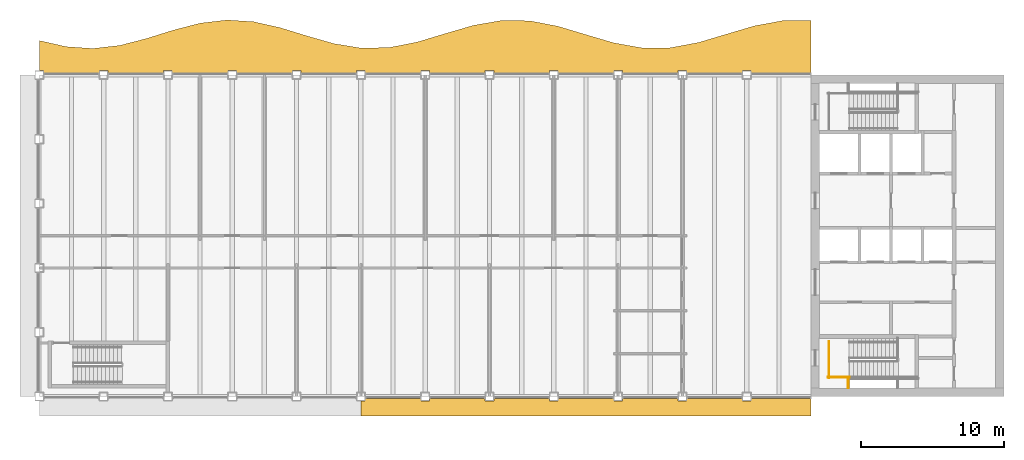
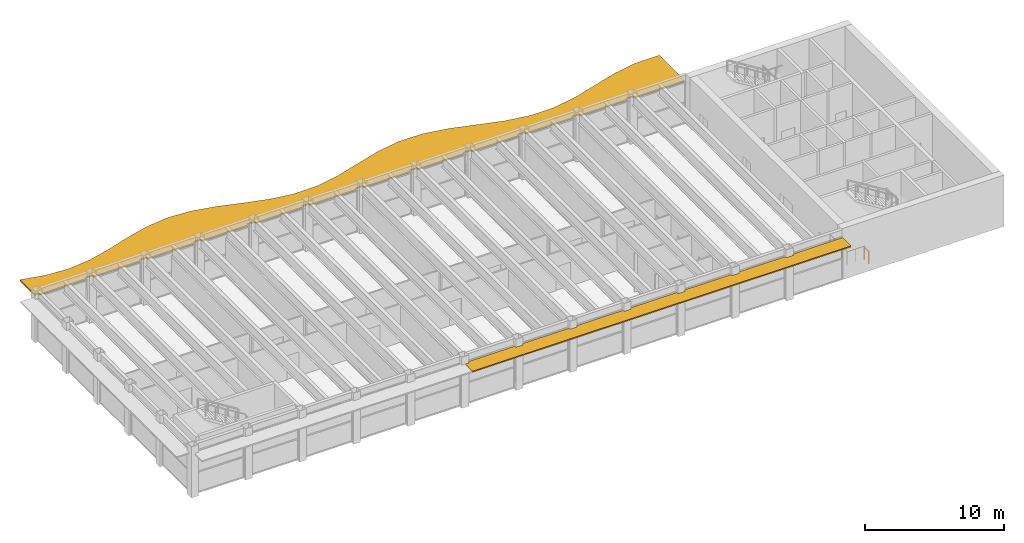
# One storey, part 13 of 14: 3 railings, 2 shading devices.
"""IFC4 building model written with IfcOpenShell, lengths in metres."""

from ifc_helpers import new_model, si_unit, direction, frame, origin, origin_2d, place, context, subcontext, project, spatial, polyline, rectangle, outline, extrude, material, layer, layer_set, type_object, element, save


model = new_model("IFC4")

# Units and contexts
model_context = context("Model", 3, precision=1e-05, world=origin(), true_north=direction((0.0, 1.0)))
body_context = subcontext(model_context, "Body", "Model", "MODEL_VIEW")
ifc_project = project(units=[si_unit("LENGTHUNIT", "METRE"), si_unit("AREAUNIT", "SQUARE_METRE"), si_unit("VOLUMEUNIT", "CUBIC_METRE"), si_unit("PLANEANGLEUNIT", "RADIAN"), si_unit("MASSUNIT", "GRAM", prefix="KILO")], contexts=[model_context])

# Site, building, storey
site_placement = place(None, origin())
site = spatial("IfcSite", under=ifc_project, at=site_placement, CompositionType="ELEMENT")
building_placement = place(site_placement, origin())
building = spatial("IfcBuilding", under=site, at=building_placement, Name="Sennacour Bend Tower", CompositionType="ELEMENT")
storey_placement = place(building_placement, frame((0.0, 0.0, 309.5)))
storey = spatial("IfcBuildingStorey", under=building, at=storey_placement, Name="L71", CompositionType="ELEMENT", Elevation=309.5)

# Railings
ifc_material_1 = material(Name="Stainless steel", Category="steel")
railing_type = type_object("IfcRailingType", Name="RL-GUARD-1100", PredefinedType="GUARDRAIL", material=ifc_material_1)
railing_1_placement = place(storey_placement, frame((55.199951171875, 1.35009765625, 0.0)))
element("IfcRailing", 1, at=railing_1_placement, inside=storey, type_object=railing_type, Name="L71 SA1 stair guard 6", PredefinedType="GUARDRAIL", context=body_context, shape_type="SweptSolid", body=[
    extrude(rectangle(XDim=0.048095703125, YDim=0.048095703125, at=origin_2d()), frame((0.0, 0.0, 1.076171875), z_axis=(1.0, 0.0, 0.0), x_axis=(0.0, 1.0, 0.0)), (0.0, 0.0, 1.0), 1.5),
    extrude(rectangle(XDim=0.0419921875, YDim=0.0419921875, at=origin_2d()), origin(), (0.0, 0.0, 1.0), 1.052001953125),
    extrude(rectangle(XDim=0.0419921875, YDim=0.0419921875, at=origin_2d()), frame((0.75, 0.0, 0.0)), (0.0, 0.0, 1.0), 1.052001953125),
    extrude(rectangle(XDim=0.0419921875, YDim=0.0419921875, at=origin_2d()), frame((1.5, 0.0, 0.0)), (0.0, 0.0, 1.0), 1.052001953125),
])
railing_2_placement = place(storey_placement, frame((55.25, 1.300048828125, 0.0)))
element("IfcRailing", 2, at=railing_2_placement, inside=storey, type_object=railing_type, Name="L71 SA1 stair guard 7", PredefinedType="GUARDRAIL", context=body_context, shape_type="SweptSolid", body=[
    extrude(rectangle(XDim=0.048095703125, YDim=0.048095703125, at=origin_2d()), frame((0.0, 0.0, 1.076171875), z_axis=(0.0, 1.0, 0.0), x_axis=(-1.0, 0.0, 0.0)), (0.0, 0.0, 1.0), 2.550048828125),
    extrude(rectangle(XDim=0.0419921875, YDim=0.0419921875, at=origin_2d()), origin(), (0.0, 0.0, 1.0), 1.052001953125),
    extrude(rectangle(XDim=0.0419921875, YDim=0.0419921875, at=origin_2d()), frame((0.0, 0.85009765625, 0.0)), (0.0, 0.0, 1.0), 1.052001953125),
    extrude(rectangle(XDim=0.0419921875, YDim=0.0419921875, at=origin_2d()), frame((0.0, 1.699951171875, 0.0)), (0.0, 0.0, 1.0), 1.052001953125),
    extrude(rectangle(XDim=0.0419921875, YDim=0.0419921875, at=origin_2d()), frame((0.0, 2.550048828125, 0.0)), (0.0, 0.0, 1.0), 1.052001953125),
])
railing_3_placement = place(storey_placement, frame((56.60009765625, 1.25, 0.0)))
element("IfcRailing", 3, at=railing_3_placement, inside=storey, type_object=railing_type, Name="L71 SA1 landing edge guard 158", PredefinedType="GUARDRAIL", context=body_context, shape_type="SweptSolid", body=[
    extrude(rectangle(XDim=0.048095703125, YDim=0.048095703125, at=origin_2d()), frame((0.0, 0.0, 1.076171875), z_axis=(0.0, -1.0, 0.0), x_axis=(1.0, 0.0, 0.0)), (0.0, 0.0, 1.0), 0.64990234375),
    extrude(rectangle(XDim=0.0419921875, YDim=0.0419921875, at=origin_2d()), origin(), (0.0, 0.0, 1.0), 1.052001953125),
    extrude(rectangle(XDim=0.0419921875, YDim=0.0419921875, at=origin_2d()), frame((0.0, -0.64990234375, 0.0)), (0.0, 0.0, 1.0), 1.052001953125),
])

# Shading devices
ifc_material_2 = material(Name="Bronze anodised aluminium", Category="aluminium")
ifc_layer_1 = layer(ifc_material_2, 0.10009765625, Name="Bronze anodised aluminium", Category="aluminium")
ifc_layer_set_1 = layer_set([ifc_layer_1], Name="Bronze anodised aluminium")
shading_device_type_1 = type_object("IfcShadingDeviceType", Name="SUNSHADE BAND STRAIGHT", PredefinedType="USERDEFINED", material=ifc_layer_set_1)
shading_device_1_placement = place(storey_placement, frame((0.0, 0.0, 3.572021484375)))
element("IfcShadingDevice", 4, at=shading_device_1_placement, inside=storey, type_object=shading_device_type_1, Name="Sunshade band L71 A outer face", ObjectType="SUNSHADE", PredefinedType="USERDEFINED", context=body_context, shape_type="SweptSolid", body=[
    extrude(outline(polyline([(26.699951171875, -0.14990234375), (26.699951171875, -0.300048828125), (27.300048828125, -0.300048828125), (27.300048828125, -0.14990234375), (31.199951171875, -0.14990234375), (31.199951171875, -0.300048828125), (31.800048828125, -0.300048828125), (31.800048828125, -0.14990234375), (35.699951171875, -0.14990234375), (35.699951171875, -0.300048828125), (36.300048828125, -0.300048828125), (36.300048828125, -0.14990234375), (40.199951171875, -0.14990234375), (40.199951171875, -0.300048828125), (40.800048828125, -0.300048828125), (40.800048828125, -0.14990234375), (44.699951171875, -0.14990234375), (44.699951171875, -0.300048828125), (45.300048828125, -0.300048828125), (45.300048828125, -0.14990234375), (49.199951171875, -0.14990234375), (49.199951171875, -0.300048828125), (49.800048828125, -0.300048828125), (49.800048828125, -0.14990234375), (54.0, -0.14990234375), (54.0, -1.35009765625), (22.5, -1.35009765625), (22.5, -0.300048828125), (22.800048828125, -0.300048828125), (22.800048828125, -0.14990234375), (26.699951171875, -0.14990234375)])), origin(), (0.0, 0.0, 1.0), 0.10009765625),
])
ifc_layer_2 = layer(ifc_material_2, 0.1201171875, Name="Bronze anodised aluminium", Category="aluminium")
ifc_layer_set_2 = layer_set([ifc_layer_2], Name="Bronze anodised aluminium")
shading_device_type_2 = type_object("IfcShadingDeviceType", Name="SUNSHADE BAND WAVE", PredefinedType="USERDEFINED", material=ifc_layer_set_2)
shading_device_2_placement = place(storey_placement, frame((0.0, 0.0, 3.552001953125)))
element("IfcShadingDevice", 5, at=shading_device_2_placement, inside=storey, type_object=shading_device_type_2, Name="Sunshade band L71 concave faces", ObjectType="SUNSHADE", PredefinedType="USERDEFINED", context=body_context, shape_type="SweptSolid", body=[
    extrude(outline(polyline([(54.0, 22.64990234375), (49.800048828125, 22.64990234375), (49.800048828125, 22.800048828125), (49.199951171875, 22.800048828125), (49.199951171875, 22.64990234375), (45.300048828125, 22.64990234375), (45.300048828125, 22.800048828125), (44.699951171875, 22.800048828125), (44.699951171875, 22.64990234375), (40.800048828125, 22.64990234375), (40.800048828125, 22.800048828125), (40.199951171875, 22.800048828125), (40.199951171875, 22.64990234375), (36.300048828125, 22.64990234375), (36.300048828125, 22.800048828125), (35.699951171875, 22.800048828125), (35.699951171875, 22.64990234375), (31.800048828125, 22.64990234375), (31.800048828125, 22.800048828125), (31.199951171875, 22.800048828125), (31.199951171875, 22.64990234375), (27.300048828125, 22.64990234375), (27.300048828125, 22.800048828125), (26.699951171875, 22.800048828125), (26.699951171875, 22.64990234375), (22.800048828125, 22.64990234375), (22.800048828125, 22.800048828125), (22.199951171875, 22.800048828125), (22.199951171875, 22.64990234375), (18.300048828125, 22.64990234375), (18.300048828125, 22.800048828125), (17.699951171875, 22.800048828125), (17.699951171875, 22.64990234375), (13.800048828125, 22.64990234375), (13.800048828125, 22.800048828125), (13.199951171875, 22.800048828125), (13.199951171875, 22.64990234375), (9.300048828125, 22.64990234375), (9.300048828125, 22.800048828125), (8.699951171875, 22.800048828125), (8.699951171875, 22.64990234375), (4.800048828125, 22.64990234375), (4.800048828125, 22.800048828125), (4.199951171875, 22.800048828125), (4.199951171875, 22.64990234375), (0.300048828125, 22.64990234375), (0.300048828125, 22.800048828125), (0.0, 22.800048828125), (0.0, 24.90869140625), (1.875, 24.481689453125), (3.75, 24.352783203125), (5.625, 24.56689453125), (7.5, 25.050048828125), (9.375, 25.63623046875), (11.25, 26.1240234375), (13.125, 26.345947265625), (15.0, 26.225341796875), (16.875, 25.803955078125), (18.75, 25.2265625), (20.625, 24.69140625), (22.5, 24.3828125), (24.46875, 24.416748046875), (26.4375, 24.803466796875), (28.40625, 25.396484375), (30.375, 25.971923828125), (32.34375, 26.3125), (34.3125, 26.289306640625), (36.28125, 25.91162109375), (38.25, 25.3212890625), (40.21875, 24.7421875), (42.1875, 24.392578125), (44.15625, 24.404541015625), (46.125, 24.773681640625), (48.09375, 25.360595703125), (50.0625, 25.943603515625), (52.03125, 26.30224609375), (54.0, 26.301025390625), (54.0, 22.64990234375)])), origin(), (0.0, 0.0, 1.0), 0.1201171875),
])

save(model, "model.ifc")
